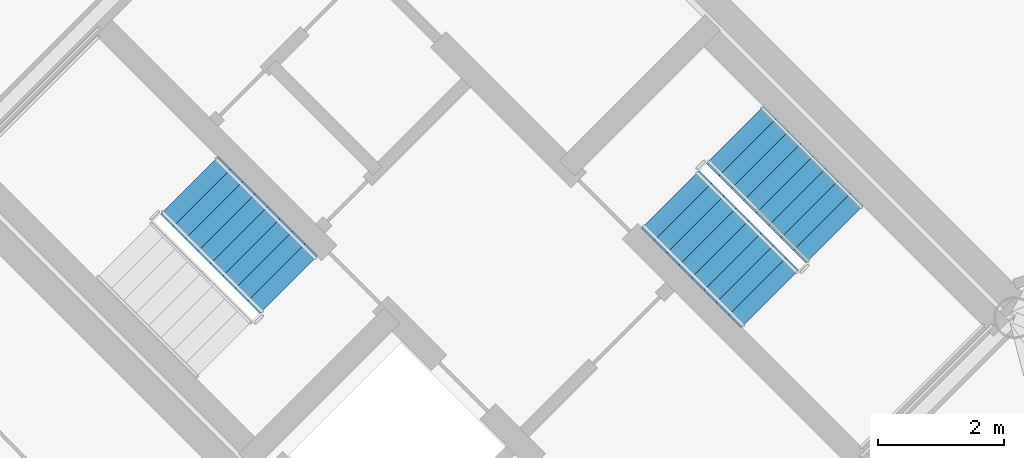
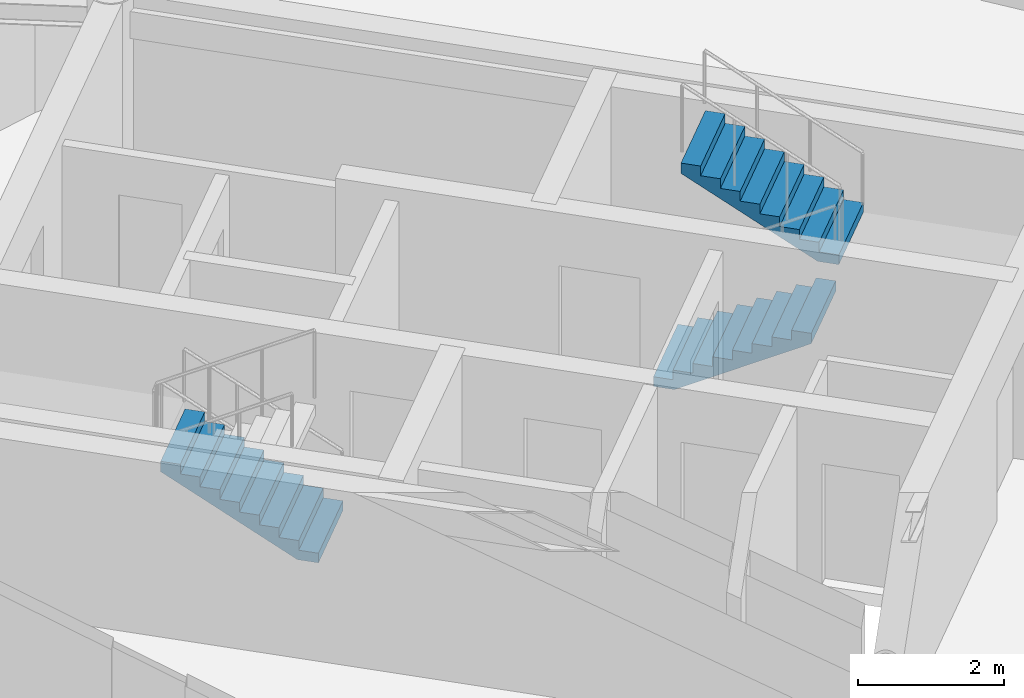
# One storey, part 12 of 15: 3 stair flights, 2 elements without a shape of their own.
"""IFC4 building model written with IfcOpenShell, lengths in metres."""

from ifc_helpers import new_model, si_unit, direction, frame, origin, place, context, subcontext, project, spatial, polyline, outline, extrude, material, type_object, element, aggregate, save


model = new_model("IFC4")

# Units and contexts
model_context = context("Model", 3, precision=1e-05, world=origin(), true_north=direction((0.0, 1.0)))
body_context = subcontext(model_context, "Body", "Model", "MODEL_VIEW")
ifc_project = project(units=[si_unit("LENGTHUNIT", "METRE"), si_unit("AREAUNIT", "SQUARE_METRE"), si_unit("VOLUMEUNIT", "CUBIC_METRE"), si_unit("PLANEANGLEUNIT", "RADIAN"), si_unit("MASSUNIT", "GRAM", prefix="KILO")], contexts=[model_context])

# Site, building, storey
site_placement = place(None, origin())
site = spatial("IfcSite", under=ifc_project, at=site_placement, CompositionType="ELEMENT")
building_placement = place(site_placement, origin())
building = spatial("IfcBuilding", under=site, at=building_placement, Name="Cununo Teusaquillo Station Towers", CompositionType="ELEMENT")
storey_placement = place(building_placement, frame((0.0, 0.0, 199.570068359375)))
storey = spatial("IfcBuildingStorey", under=building, at=storey_placement, Name="L63", CompositionType="ELEMENT", Elevation=199.570068359375)

# Stair, stair flight
ifc_material_1 = material(Name="Concrete C50/60", Category="concrete")
stair_type = type_object("IfcStairType", Name="ST-TWR-1300", PredefinedType="HALF_TURN_STAIR", material=ifc_material_1)
stair_1_placement = place(storey_placement, origin())
stair_1 = element("IfcStair", 1, at=stair_1_placement, inside=storey, type_object=stair_type, Name="L63 Tower B Protected Core Exit Stair 1", PredefinedType="HALF_TURN_STAIR")
ifc_material_2 = material(Name="Concrete C50/60", Category="concrete")
stair_flight_type = type_object("IfcStairFlightType", Name="SFL-TWR-1300", PredefinedType="STRAIGHT", material=ifc_material_2)
stair_flight_1_placement = place(storey_placement, frame((54.45947265625, 23.8212890625, 0.0), z_axis=(0.0, 0.0, 1.0), x_axis=(-0.707106781187, 0.707106781187, 0.0)))
stair_flight_1 = element("IfcStairFlight", 2, at=stair_flight_1_placement, type_object=stair_flight_type, Name="ST-T2-1 flight 1", NumberOfRisers=9, NumberOfTreads=8, PredefinedType="STRAIGHT", RiserHeight=0.161666667, TreadLength=0.28, context=body_context, shape_type="SweptSolid", body=[
    extrude(outline(polyline([(0.0, 0.0), (0.0, 0.16162109375), (0.280029296875, 0.16162109375), (0.280029296875, 0.3232421875), (0.56005859375, 0.3232421875), (0.56005859375, 0.485107421875), (0.840087890625, 0.485107421875), (0.840087890625, 0.646728515625), (1.1201171875, 0.646728515625), (1.1201171875, 0.808349609375), (1.39990234375, 0.808349609375), (1.39990234375, 0.969970703125), (1.679931640625, 0.969970703125), (1.679931640625, 1.131591796875), (1.9599609375, 1.131591796875), (1.9599609375, 1.293212890625), (2.239990234375, 1.293212890625), (2.239990234375, 1.455078125), (2.239990234375, 1.1201171875), (0.2998046875, 0.0), (0.0, 0.0)])), frame((0.0, 0.64990234375, 0.0), z_axis=(0.0, -1.0, 0.0), x_axis=(1.0, 0.0, 0.0)), (0.0, 0.0, 1.0), 1.300048828125),
])
aggregate(stair_1, [stair_flight_1])

# Stair, stair flights
stair_2_placement = place(storey_placement, origin())
stair_2 = element("IfcStair", 3, at=stair_2_placement, inside=storey, type_object=stair_type, Name="L63 Tower B Protected Core Exit Stair 2", PredefinedType="HALF_TURN_STAIR")
stair_flight_2_placement = place(storey_placement, frame((60.54052734375, 25.1787109375, 0.0), z_axis=(0.0, 0.0, 1.0), x_axis=(0.707106781187, -0.707106781187, 0.0)))
stair_flight_2 = element("IfcStairFlight", 4, at=stair_flight_2_placement, type_object=stair_flight_type, Name="ST-T2-2 flight 1", NumberOfRisers=9, NumberOfTreads=8, PredefinedType="STRAIGHT", RiserHeight=0.161666667, TreadLength=0.28, context=body_context, shape_type="SweptSolid", body=[
    extrude(outline(polyline([(0.0, 0.0), (0.0, 0.16162109375), (0.280029296875, 0.16162109375), (0.280029296875, 0.3232421875), (0.56005859375, 0.3232421875), (0.56005859375, 0.485107421875), (0.840087890625, 0.485107421875), (0.840087890625, 0.646728515625), (1.1201171875, 0.646728515625), (1.1201171875, 0.808349609375), (1.39990234375, 0.808349609375), (1.39990234375, 0.969970703125), (1.679931640625, 0.969970703125), (1.679931640625, 1.131591796875), (1.9599609375, 1.131591796875), (1.9599609375, 1.293212890625), (2.239990234375, 1.293212890625), (2.239990234375, 1.455078125), (2.239990234375, 1.1201171875), (0.2998046875, 0.0), (0.0, 0.0)])), frame((0.0, 0.64990234375, 0.0), z_axis=(0.0, -1.0, 0.0), x_axis=(1.0, 0.0, 0.0)), (0.0, 0.0, 1.0), 1.300048828125),
])
stair_flight_3_placement = place(storey_placement, frame((63.15673828125, 24.627197265625, 1.454833984375), z_axis=(0.0, 0.0, 1.0), x_axis=(-0.707106781187, 0.707106781187, 0.0)))
stair_flight_3 = element("IfcStairFlight", 5, at=stair_flight_3_placement, type_object=stair_flight_type, Name="ST-T2-2 flight 2", NumberOfRisers=9, NumberOfTreads=8, PredefinedType="STRAIGHT", RiserHeight=0.161666667, TreadLength=0.28, context=body_context, shape_type="SweptSolid", body=[
    extrude(outline(polyline([(0.0, 0.0), (0.0, 0.16162109375), (0.280029296875, 0.16162109375), (0.280029296875, 0.3232421875), (0.56005859375, 0.3232421875), (0.56005859375, 0.485107421875), (0.840087890625, 0.485107421875), (0.840087890625, 0.646728515625), (1.1201171875, 0.646728515625), (1.1201171875, 0.808349609375), (1.39990234375, 0.808349609375), (1.39990234375, 0.969970703125), (1.679931640625, 0.969970703125), (1.679931640625, 1.131591796875), (1.9599609375, 1.131591796875), (1.9599609375, 1.293212890625), (2.239990234375, 1.293212890625), (2.239990234375, 1.455078125), (2.239990234375, 1.1201171875), (0.2998046875, 0.0), (0.0, 0.0)])), frame((0.0, 0.64990234375, 0.0), z_axis=(0.0, -1.0, 0.0), x_axis=(1.0, 0.0, 0.0)), (0.0, 0.0, 1.0), 1.300048828125),
])
aggregate(stair_2, [stair_flight_2, stair_flight_3])

save(model, "model.ifc")
